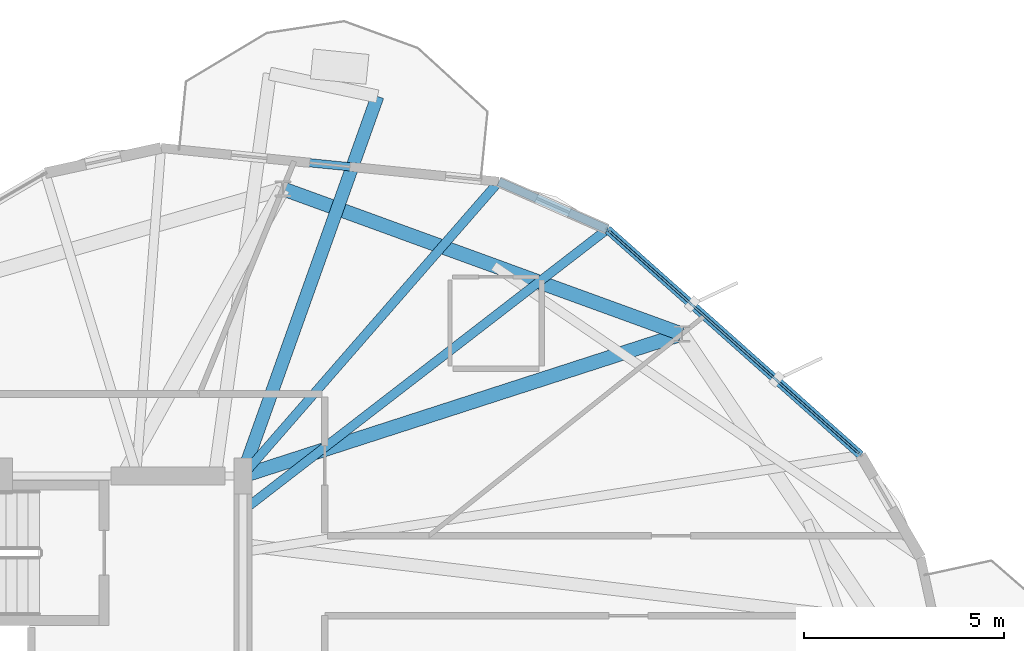
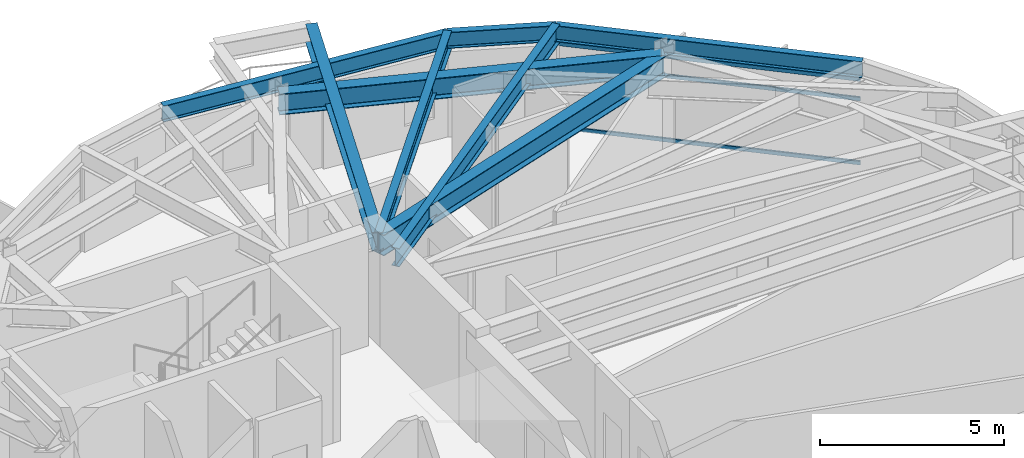
# One storey, part 17 of 25: 8 beams, 3 members, 1 element without a shape of its own.
"""IFC4 building model written with IfcOpenShell, lengths in metres."""

import ifcopenshell
import ifcopenshell.guid

model = None  # the IFC model being written
_history = None  # IfcOwnerHistory: only IFC2X3 demands one
_inside = {}  # id of a spatial element -> (the spatial element, [elements in it])
_under = {}  # id of a project, library or spatial element -> (it, [spatial elements below it])
_declared = {}  # id of a project -> (the project, [libraries it declares])
_typed = {}  # id of a type object -> (the type object, [elements of that type])
_made_of = {}  # id of a material, layer set ... -> (it, [elements and type objects made of it])


def new_model(schema):
    """Start an empty IFC model of exactly this schema.

    Asked for "IFC4X3", IfcOpenShell would pick the latest addendum, in which some entities
    have other attributes; the version numbers below select the first issue.
    IFC2X3 requires an IfcOwnerHistory on every rooted entity: one is made here for all.
    """
    global model, _history
    if schema == "IFC4X3":
        model = ifcopenshell.file(schema_version=(4, 3, 0, 0))
    else:
        model = ifcopenshell.file(schema=schema)
    _inside.clear()
    _under.clear()
    _declared.clear()
    _typed.clear()
    _made_of.clear()
    _history = None
    if model.schema == "IFC2X3":
        org = make("IfcOrganization", Name="unknown")
        user = make(
            "IfcPersonAndOrganization",
            ThePerson=make("IfcPerson", FamilyName="unknown"),
            TheOrganization=org,
        )
        app = make(
            "IfcApplication",
            ApplicationDeveloper=org,
            Version="unknown",
            ApplicationFullName="unknown",
            ApplicationIdentifier="unknown",
        )
        _history = make(
            "IfcOwnerHistory",
            OwningUser=user,
            OwningApplication=app,
            ChangeAction="ADDED",
            CreationDate=0,
        )
    return model


def make(cls, **values):
    """One entity of the class cls with the attributes given. An attribute that is None is left unset."""
    return model.create_entity(
        cls, **{name: value for name, value in values.items() if value is not None}
    )


def rooted(cls, **values):
    """An entity with a GlobalId (a new one), such as an element, a storey or a relation."""
    return make(cls, GlobalId=ifcopenshell.guid.new(), OwnerHistory=_history, **values)


def si_unit(unit_type, name, prefix=None):
    """IfcSIUnit, for example si_unit("LENGTHUNIT", "METRE", prefix="MILLI")."""
    return make("IfcSIUnit", UnitType=unit_type, Prefix=prefix, Name=name)


def assignment(units):
    """IfcUnitAssignment: the units of a project."""
    return None if units is None else make("IfcUnitAssignment", Units=units)


def point(xyz):
    """IfcCartesianPoint."""
    return None if xyz is None else make("IfcCartesianPoint", Coordinates=xyz)


def direction(xyz):
    """IfcDirection."""
    return None if xyz is None else make("IfcDirection", DirectionRatios=xyz)


def frame(location, z_axis=None, x_axis=None):
    """IfcAxis2Placement3D, a coordinate frame: its origin and axes. An axis left out is left unset."""
    return make(
        "IfcAxis2Placement3D",
        Location=point(location),
        Axis=direction(z_axis),
        RefDirection=direction(x_axis),
    )


def frame_2d(location, x_axis=None):
    """IfcAxis2Placement2D, a coordinate frame in the plane: its origin and x axis."""
    return make(
        "IfcAxis2Placement2D", Location=point(location), RefDirection=direction(x_axis)
    )


def origin():
    """The frame at (0, 0, 0) with its axes left unset."""
    return frame((0.0, 0.0, 0.0))


def origin_2d():
    """The frame at (0, 0) in the plane with its x axis left unset."""
    return frame_2d((0.0, 0.0))


def place(relative_to, where):
    """IfcLocalPlacement: puts the frame where relative to a parent placement (None: the world)."""
    return make(
        "IfcLocalPlacement", PlacementRelTo=relative_to, RelativePlacement=where
    )


def context(
    kind, dimensions, precision=None, world=None, true_north=None, identifier=None
):
    """IfcGeometricRepresentationContext, for example the 3D "Model" context."""
    return make(
        "IfcGeometricRepresentationContext",
        ContextIdentifier=identifier,
        ContextType=kind,
        CoordinateSpaceDimension=dimensions,
        Precision=precision,
        WorldCoordinateSystem=world,
        TrueNorth=true_north,
    )


def subcontext(parent, identifier, kind, view, scale=None):
    """IfcGeometricRepresentationSubContext, for example "Body" below "Model"."""
    return make(
        "IfcGeometricRepresentationSubContext",
        ContextIdentifier=identifier,
        ContextType=kind,
        ParentContext=parent,
        TargetScale=scale,
        TargetView=view,
    )


def project(units=None, contexts=None):
    """IfcProject with its units and contexts."""
    return rooted(
        "IfcProject",
        Name="project",
        RepresentationContexts=contexts,
        UnitsInContext=assignment(units),
    )


def spatial(cls, under=None, at=None, **own):
    """A site, building, storey or space (cls), placed at a placement, below another one or the project."""
    s = rooted(cls, ObjectPlacement=at, **own)
    if under is not None:
        _under.setdefault(under.id(), (under, []))[1].append(s)
    return s


def profile(cls, at=None, kind="AREA", **sizes):
    """A parametric profile (cls). Its sizes go by their IFC names, for example OverallWidth=200.0."""
    return make(cls, ProfileType=kind, Position=at, **sizes)


def hollow_rectangle(**sizes):
    """IfcRectangleHollowProfileDef."""
    return profile("IfcRectangleHollowProfileDef", **sizes)


def i_section(**sizes):
    """IfcIShapeProfileDef."""
    return profile("IfcIShapeProfileDef", **sizes)


def extrude(swept, where, along, depth):
    """IfcExtrudedAreaSolid: the profile swept, set in the frame where, extruded along a direction by depth."""
    return make(
        "IfcExtrudedAreaSolid",
        SweptArea=swept,
        Position=where,
        ExtrudedDirection=direction(along),
        Depth=depth,
    )


def shape(context_of_items, identifier, shape_type, items):
    """IfcShapeRepresentation: the items that make up one representation, for example the "Body"."""
    return make(
        "IfcShapeRepresentation",
        ContextOfItems=context_of_items,
        RepresentationIdentifier=identifier,
        RepresentationType=shape_type,
        Items=items,
    )


def material(Name=None, Category=None):
    """IfcMaterial."""
    return make("IfcMaterial", Name=Name, Category=Category)


def layer(
    of_material, thickness, ventilated=None, Name=None, Category=None, Priority=None
):
    """IfcMaterialLayer: one layer of a wall or slab, of a material (None: an air gap)."""
    return make(
        "IfcMaterialLayer",
        Material=of_material,
        LayerThickness=thickness,
        IsVentilated=ventilated,
        Name=Name,
        Category=Category,
        Priority=Priority,
    )


def layer_set(layers, Name=None):
    """IfcMaterialLayerSet."""
    return make("IfcMaterialLayerSet", MaterialLayers=layers, LayerSetName=Name)


def material_profile(
    of_material, cross_section, Name=None, Category=None, Priority=None
):
    """IfcMaterialProfile: a cross section and its material."""
    return make(
        "IfcMaterialProfile",
        Name=Name,
        Material=of_material,
        Profile=cross_section,
        Priority=Priority,
        Category=Category,
    )


def profile_set(profiles, Name=None, composite=None):
    """IfcMaterialProfileSet."""
    return make(
        "IfcMaterialProfileSet",
        Name=Name,
        MaterialProfiles=profiles,
        CompositeProfile=composite,
    )


def made_of(thing, what):
    """Note that an element or type object is made of a material, layer set ...; save() writes the relation."""
    if what is not None:
        _made_of.setdefault(what.id(), (what, []))[1].append(thing)
    return thing


def type_object(cls, material=None, **own):
    """A type object (cls), such as IfcWallType, which elements share."""
    return made_of(rooted(cls, **own), material)


def element(
    cls,
    number,
    at=None,
    inside=None,
    cuts=None,
    type_object=None,
    material=None,
    context=None,
    identifier="Body",
    shape_type=None,
    held_by="IfcProductDefinitionShape",
    body=None,
    shapes=None,
    **own,
):
    """One element of the class cls, such as IfcWall. Its Tag is "e" and its number.

    at: its placement. inside: the storey or other place that contains it. cuts: it is an
    opening in that element (IfcRelVoidsElement). A single representation is given by context,
    identifier, shape_type and body (its items); several are given by shapes. held_by: the class
    of the entity that holds the representations. save() writes the other relations.
    """
    e = rooted(cls, Tag="e%d" % number, ObjectPlacement=at, **own)
    if body is not None:
        shapes = [shape(context, identifier, shape_type, body)]
    if shapes is not None:
        e.Representation = make(held_by, Representations=shapes)
    if inside is not None:
        _inside.setdefault(inside.id(), (inside, []))[1].append(e)
    if cuts is not None:
        rooted(
            "IfcRelVoidsElement", RelatingBuildingElement=cuts, RelatedOpeningElement=e
        )
    if type_object is not None:
        _typed.setdefault(type_object.id(), (type_object, []))[1].append(e)
    return made_of(e, material)


def aggregate(whole, parts):
    """IfcRelAggregates: a whole, such as a stair, and the parts it consists of."""
    return rooted("IfcRelAggregates", RelatingObject=whole, RelatedObjects=parts)


def save(model, path):
    """Write the relations noted so far, then the file.

    IfcRelAggregates (storeys below a building ...), IfcRelContainedInSpatialStructure (elements
    in a storey), IfcRelDefinesByType, IfcRelAssociatesMaterial and IfcRelDeclares: one each for
    every whole, place, type object, material and project.
    """
    for whole, parts in _under.values():
        aggregate(whole, parts)
    for where, things in _inside.values():
        rooted(
            "IfcRelContainedInSpatialStructure",
            RelatedElements=things,
            RelatingStructure=where,
        )
    for kind, things in _typed.values():
        rooted("IfcRelDefinesByType", RelatedObjects=things, RelatingType=kind)
    for what, things in _made_of.values():
        rooted("IfcRelAssociatesMaterial", RelatedObjects=things, RelatingMaterial=what)
    for by, libraries in _declared.values():
        rooted("IfcRelDeclares", RelatingContext=by, RelatedDefinitions=libraries)
    model.write(path)


model = new_model("IFC4")

# Units and contexts
model_context = context("Model", 3, precision=1e-05, world=origin(), true_north=direction((0.0, 1.0)))
body_context = subcontext(model_context, "Body", "Model", "MODEL_VIEW")
ifc_project = project(units=[si_unit("LENGTHUNIT", "METRE"), si_unit("AREAUNIT", "SQUARE_METRE"), si_unit("VOLUMEUNIT", "CUBIC_METRE"), si_unit("PLANEANGLEUNIT", "RADIAN"), si_unit("MASSUNIT", "GRAM", prefix="KILO")], contexts=[model_context])

# Site, building, storey
site_placement = place(None, origin())
site = spatial("IfcSite", under=ifc_project, at=site_placement, CompositionType="ELEMENT")
building_placement = place(site_placement, origin())
building = spatial("IfcBuilding", under=site, at=building_placement, Name="Soratama Intermodal Tower", CompositionType="ELEMENT")
storey_placement = place(building_placement, frame((0.0, 0.0, 276.25)))
storey = spatial("IfcBuildingStorey", under=building, at=storey_placement, Name="L70", CompositionType="ELEMENT", Elevation=276.25)

# Beams
ifc_material_1 = material(Name="Structural steel ASTM A992 Grade 50", Category="steel")
ifc_material_profile_1 = material_profile(ifc_material_1, i_section(OverallWidth=0.324951171875, OverallDepth=0.615966796875, WebThickness=0.013916015625, FlangeThickness=0.021484375, FilletRadius=0.013916015625, at=origin_2d()), Name="W24X117")
ifc_profile_set_1 = profile_set([ifc_material_profile_1], Name="Structural steel ASTM A992 Grade 50")
beam_type_1 = type_object("IfcBeamType", Name="BM-CANT-W24X117", PredefinedType="BEAM", material=ifc_profile_set_1)
beam_1_placement = place(storey_placement, frame((44.587890625, 35.0380859375, 3.14208984375), z_axis=(0.336345628102, 0.941738614721, 0.0), x_axis=(-0.941738614721, 0.336345628102, 0.0)))
element("IfcBeam", 1, at=beam_1_placement, inside=storey, type_object=beam_type_1, Name="BM-L70-CANT-2-1", PredefinedType="BEAM", context=body_context, shape_type="SweptSolid", body=[
    extrude(i_section(OverallWidth=0.324951171875, OverallDepth=0.615966796875, WebThickness=0.013916015625, FlangeThickness=0.021484375, FilletRadius=0.013916015625, at=origin_2d()), origin(), (0.0, 0.0, 1.0), 10.052490234375),
])
ifc_material_2 = material(Name="Structural steel ASTM A992 Grade 50", Category="steel")
ifc_material_profile_2 = material_profile(ifc_material_2, i_section(OverallWidth=0.35498046875, OverallDepth=0.695068359375, WebThickness=0.015380859375, FlangeThickness=0.02490234375, FilletRadius=0.01611328125, at=origin_2d()), Name="W27X146")
ifc_profile_set_2 = profile_set([ifc_material_profile_2], Name="Structural steel ASTM A992 Grade 50")
beam_type_2 = type_object("IfcBeamType", Name="BM-RING-W27X146", PredefinedType="BEAM", material=ifc_profile_set_2)
beam_2_placement = place(storey_placement, frame((55.589111328125, 38.553955078125, 3.1025390625), z_axis=(-0.939684073866, 0.342043624883, 0.0), x_axis=(-0.342043624883, -0.939684073866, 0.0)))
element("IfcBeam", 2, at=beam_2_placement, inside=storey, type_object=beam_type_2, Name="BM-L70-RING-02", PredefinedType="BEAM", context=body_context, shape_type="SweptSolid", body=[
    extrude(i_section(OverallWidth=0.35498046875, OverallDepth=0.695068359375, WebThickness=0.015380859375, FlangeThickness=0.02490234375, FilletRadius=0.01611328125, at=origin_2d()), origin(), (0.0, 0.0, 1.0), 10.630126953125),
])
beam_3_placement = place(storey_placement, frame((44.60009765625, 35.0, 3.1025390625), z_axis=(0.95147783512, 0.307717287904, 0.0), x_axis=(-0.307717287904, 0.95147783512, 0.0)))
element("IfcBeam", 3, at=beam_3_placement, inside=storey, type_object=beam_type_2, Name="BM-L70-RAD-02", PredefinedType="BEAM", context=body_context, shape_type="SweptSolid", body=[
    extrude(i_section(OverallWidth=0.35498046875, OverallDepth=0.695068359375, WebThickness=0.015380859375, FlangeThickness=0.02490234375, FilletRadius=0.01611328125, at=origin_2d()), origin(), (0.0, 0.0, 1.0), 11.54931640625),
])
ifc_material_3 = material(Name="Structural steel ASTM A992 Grade 50", Category="steel")
ifc_material_profile_3 = material_profile(ifc_material_3, i_section(OverallWidth=0.2099609375, OverallDepth=0.537109375, WebThickness=0.010986328125, FlangeThickness=0.017333984375, FilletRadius=0.012939453125, at=origin_2d()), Name="W21X68")
ifc_profile_set_3 = profile_set([ifc_material_profile_3], Name="Structural steel ASTM A992 Grade 50")
beam_type_3 = type_object("IfcBeamType", Name="BM-SPN-W21X68", PredefinedType="SPANDREL", material=ifc_profile_set_3)
beam_4_placement = place(storey_placement, frame((51.0048828125, 42.368896484375, 3.181396484375), z_axis=(-0.995043728894, 0.099438310465, 0.0), x_axis=(-0.099438310465, -0.995043728894, 0.0)))
element("IfcBeam", 4, at=beam_4_placement, inside=storey, type_object=beam_type_3, Name="BS-L70-F01", PredefinedType="SPANDREL", context=body_context, shape_type="SweptSolid", body=[
    extrude(i_section(OverallWidth=0.2099609375, OverallDepth=0.537109375, WebThickness=0.010986328125, FlangeThickness=0.017333984375, FilletRadius=0.012939453125, at=origin_2d()), origin(), (0.0, 0.0, 1.0), 8.5),
])
beam_5_placement = place(storey_placement, frame((60.06689453125, 35.52294921875, 3.181396484375), z_axis=(-0.746637015618, 0.66523166409, 0.0), x_axis=(-0.66523166409, -0.746637015618, 0.0)))
element("IfcBeam", 5, at=beam_5_placement, inside=storey, type_object=beam_type_3, Name="BS-L70-F10", PredefinedType="SPANDREL", context=body_context, shape_type="SweptSolid", body=[
    extrude(i_section(OverallWidth=0.2099609375, OverallDepth=0.537109375, WebThickness=0.010986328125, FlangeThickness=0.017333984375, FilletRadius=0.012939453125, at=origin_2d()), origin(), (0.0, 0.0, 1.0), 8.499267578125),
])
beam_6_placement = place(storey_placement, frame((53.720947265625, 41.177001953125, 3.181396484375), z_axis=(-0.915709045895, 0.401841938163, 0.0), x_axis=(-0.401841938163, -0.915709045895, 0.0)))
element("IfcBeam", 6, at=beam_6_placement, inside=storey, type_object=beam_type_3, Name="BS-L70-CRN10", PredefinedType="SPANDREL", context=body_context, shape_type="SweptSolid", body=[
    extrude(i_section(OverallWidth=0.2099609375, OverallDepth=0.537109375, WebThickness=0.010986328125, FlangeThickness=0.017333984375, FilletRadius=0.012939453125, at=origin_2d()), origin(), (0.0, 0.0, 1.0), 2.966064453125),
])
ifc_material_4 = material(Name="Structural steel ASTM A992 Grade 50", Category="steel")
ifc_material_profile_4 = material_profile(ifc_material_4, i_section(OverallWidth=0.22900390625, OverallDepth=0.612060546875, WebThickness=0.011962890625, FlangeThickness=0.01953125, FilletRadius=0.012939453125, at=origin_2d()), Name="W24X84")
ifc_profile_set_4 = profile_set([ifc_material_profile_4], Name="Structural steel ASTM A992 Grade 50")
beam_type_4 = type_object("IfcBeamType", Name="BM-TIE-W24X84", PredefinedType="BEAM", material=ifc_profile_set_4)
beam_7_placement = place(storey_placement, frame((44.60888671875, 35.030029296875, 3.14404296875), z_axis=(0.6570190068, 0.753874011161, 0.0), x_axis=(-0.753874011161, 0.6570190068, 0.0)))
element("IfcBeam", 7, at=beam_7_placement, inside=storey, type_object=beam_type_4, Name="BM-L70-TIE0-01", PredefinedType="BEAM", context=body_context, shape_type="SweptSolid", body=[
    extrude(i_section(OverallWidth=0.22900390625, OverallDepth=0.612060546875, WebThickness=0.011962890625, FlangeThickness=0.01953125, FilletRadius=0.012939453125, at=origin_2d()), origin(), (0.0, 0.0, 1.0), 9.73486328125),
])
beam_8_placement = place(storey_placement, frame((44.632080078125, 34.158935546875, 3.14404296875), z_axis=(0.791501906584, 0.611166697288, 0.0), x_axis=(-0.611166697288, 0.791501906584, 0.0)))
element("IfcBeam", 8, at=beam_8_placement, inside=storey, type_object=beam_type_4, Name="BM-L70-TIE1-10", PredefinedType="BEAM", context=body_context, shape_type="SweptSolid", body=[
    extrude(i_section(OverallWidth=0.22900390625, OverallDepth=0.612060546875, WebThickness=0.011962890625, FlangeThickness=0.01953125, FilletRadius=0.012939453125, at=origin_2d()), origin(), (0.0, 0.0, 1.0), 11.483154296875),
])

# Curtain wall, members
ifc_material_5 = material(Name="Double-glazed aluminium curtain wall", Category="aluminium")
ifc_layer = layer(ifc_material_5, 0.159912109375)
ifc_layer_set = layer_set([ifc_layer], Name="Double-glazed aluminium curtain wall")
curtain_wall_type = type_object("IfcCurtainWallType", Name="CW-SYS-5", PredefinedType="NOTDEFINED", material=ifc_layer_set)
curtain_wall_placement = place(storey_placement, origin())
curtain_wall = element("IfcCurtainWall", 9, at=curtain_wall_placement, inside=storey, type_object=curtain_wall_type, Name="L70 Faceted Curtain Wall F10", PredefinedType="NOTDEFINED")
ifc_material_6 = material(Name="Anodised aluminium AA 6063-T6", Category="aluminium")
ifc_material_profile_5 = material_profile(ifc_material_6, hollow_rectangle(XDim=0.06005859375, YDim=0.1298828125, WallThickness=0.0048828125, InnerFilletRadius=0.0048828125, OuterFilletRadius=0.010009765625, at=origin_2d()), Name="CWT130X60X5")
ifc_profile_set_5 = profile_set([ifc_material_profile_5], Name="Anodised aluminium AA 6063-T6")
member_type = type_object("IfcMemberType", Name="TT-CWT-2", PredefinedType="USERDEFINED", material=ifc_profile_set_5)
member_1_placement = place(storey_placement, frame((60.022705078125, 35.5625, 0.030029296875), z_axis=(-0.746634059548, 0.665234981884, 0.0), x_axis=(-0.665234981884, -0.746634059548, 0.0)))
member_1 = element("IfcMember", 10, at=member_1_placement, type_object=member_type, Name="CW-5 transom 1.1", ObjectType="TRANSOM", PredefinedType="USERDEFINED", context=body_context, shape_type="SweptSolid", body=[
    extrude(hollow_rectangle(XDim=0.06005859375, YDim=0.1298828125, WallThickness=0.0048828125, InnerFilletRadius=0.0048828125, OuterFilletRadius=0.010009765625, at=origin_2d()), origin(), (0.0, 0.0, 1.0), 8.380126953125),
])
member_2_placement = place(storey_placement, frame((60.022705078125, 35.5625, 2.14990234375), z_axis=(-0.746634059548, 0.665234981884, 0.0), x_axis=(-0.665234981884, -0.746634059548, 0.0)))
member_2 = element("IfcMember", 11, at=member_2_placement, type_object=member_type, Name="CW-5 transom 1.2", ObjectType="TRANSOM", PredefinedType="USERDEFINED", context=body_context, shape_type="SweptSolid", body=[
    extrude(hollow_rectangle(XDim=0.06005859375, YDim=0.1298828125, WallThickness=0.0048828125, InnerFilletRadius=0.0048828125, OuterFilletRadius=0.010009765625, at=origin_2d()), origin(), (0.0, 0.0, 1.0), 8.380126953125),
])
member_3_placement = place(storey_placement, frame((60.022705078125, 35.5625, 2.799072265625), z_axis=(-0.746634059548, 0.665234981884, 0.0), x_axis=(-0.665234981884, -0.746634059548, 0.0)))
member_3 = element("IfcMember", 12, at=member_3_placement, type_object=member_type, Name="CW-5 transom 1.3", ObjectType="TRANSOM", PredefinedType="USERDEFINED", context=body_context, shape_type="SweptSolid", body=[
    extrude(hollow_rectangle(XDim=0.06005859375, YDim=0.1298828125, WallThickness=0.0048828125, InnerFilletRadius=0.0048828125, OuterFilletRadius=0.010009765625, at=origin_2d()), origin(), (0.0, 0.0, 1.0), 8.380126953125),
])
aggregate(curtain_wall, [member_1, member_2, member_3])

save(model, "model.ifc")
